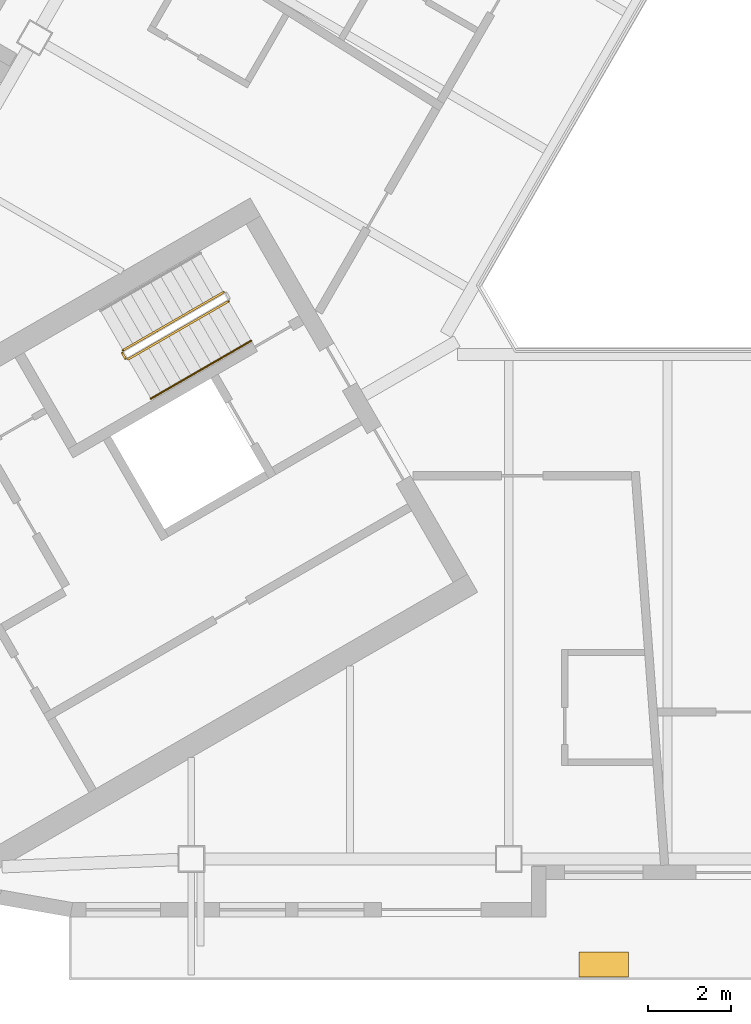
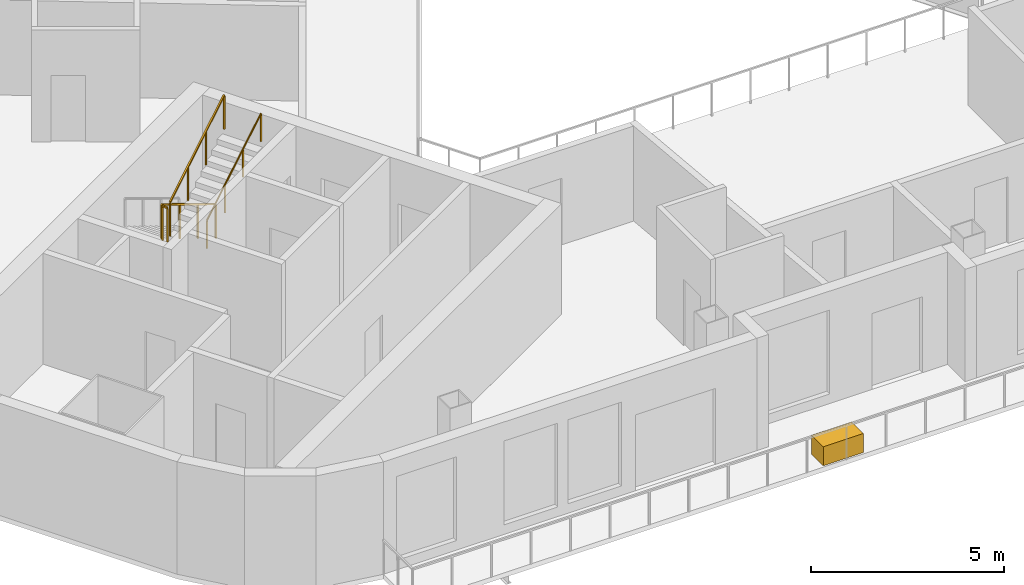
# One storey, part 9 of 14: 4 railings, 1 covering.
"""IFC4 building model written with IfcOpenShell, lengths in metres."""

import ifcopenshell
import ifcopenshell.guid

model = None  # the IFC model being written
_history = None  # IfcOwnerHistory: only IFC2X3 demands one
_inside = {}  # id of a spatial element -> (the spatial element, [elements in it])
_under = {}  # id of a project, library or spatial element -> (it, [spatial elements below it])
_declared = {}  # id of a project -> (the project, [libraries it declares])
_typed = {}  # id of a type object -> (the type object, [elements of that type])
_made_of = {}  # id of a material, layer set ... -> (it, [elements and type objects made of it])


def new_model(schema):
    """Start an empty IFC model of exactly this schema.

    Asked for "IFC4X3", IfcOpenShell would pick the latest addendum, in which some entities
    have other attributes; the version numbers below select the first issue.
    IFC2X3 requires an IfcOwnerHistory on every rooted entity: one is made here for all.
    """
    global model, _history
    if schema == "IFC4X3":
        model = ifcopenshell.file(schema_version=(4, 3, 0, 0))
    else:
        model = ifcopenshell.file(schema=schema)
    _inside.clear()
    _under.clear()
    _declared.clear()
    _typed.clear()
    _made_of.clear()
    _history = None
    if model.schema == "IFC2X3":
        org = make("IfcOrganization", Name="unknown")
        user = make(
            "IfcPersonAndOrganization",
            ThePerson=make("IfcPerson", FamilyName="unknown"),
            TheOrganization=org,
        )
        app = make(
            "IfcApplication",
            ApplicationDeveloper=org,
            Version="unknown",
            ApplicationFullName="unknown",
            ApplicationIdentifier="unknown",
        )
        _history = make(
            "IfcOwnerHistory",
            OwningUser=user,
            OwningApplication=app,
            ChangeAction="ADDED",
            CreationDate=0,
        )
    return model


def make(cls, **values):
    """One entity of the class cls with the attributes given. An attribute that is None is left unset."""
    return model.create_entity(
        cls, **{name: value for name, value in values.items() if value is not None}
    )


def rooted(cls, **values):
    """An entity with a GlobalId (a new one), such as an element, a storey or a relation."""
    return make(cls, GlobalId=ifcopenshell.guid.new(), OwnerHistory=_history, **values)


def si_unit(unit_type, name, prefix=None):
    """IfcSIUnit, for example si_unit("LENGTHUNIT", "METRE", prefix="MILLI")."""
    return make("IfcSIUnit", UnitType=unit_type, Prefix=prefix, Name=name)


def assignment(units):
    """IfcUnitAssignment: the units of a project."""
    return None if units is None else make("IfcUnitAssignment", Units=units)


def point(xyz):
    """IfcCartesianPoint."""
    return None if xyz is None else make("IfcCartesianPoint", Coordinates=xyz)


def direction(xyz):
    """IfcDirection."""
    return None if xyz is None else make("IfcDirection", DirectionRatios=xyz)


def frame(location, z_axis=None, x_axis=None):
    """IfcAxis2Placement3D, a coordinate frame: its origin and axes. An axis left out is left unset."""
    return make(
        "IfcAxis2Placement3D",
        Location=point(location),
        Axis=direction(z_axis),
        RefDirection=direction(x_axis),
    )


def frame_2d(location, x_axis=None):
    """IfcAxis2Placement2D, a coordinate frame in the plane: its origin and x axis."""
    return make(
        "IfcAxis2Placement2D", Location=point(location), RefDirection=direction(x_axis)
    )


def origin():
    """The frame at (0, 0, 0) with its axes left unset."""
    return frame((0.0, 0.0, 0.0))


def origin_2d():
    """The frame at (0, 0) in the plane with its x axis left unset."""
    return frame_2d((0.0, 0.0))


def place(relative_to, where):
    """IfcLocalPlacement: puts the frame where relative to a parent placement (None: the world)."""
    return make(
        "IfcLocalPlacement", PlacementRelTo=relative_to, RelativePlacement=where
    )


def context(
    kind, dimensions, precision=None, world=None, true_north=None, identifier=None
):
    """IfcGeometricRepresentationContext, for example the 3D "Model" context."""
    return make(
        "IfcGeometricRepresentationContext",
        ContextIdentifier=identifier,
        ContextType=kind,
        CoordinateSpaceDimension=dimensions,
        Precision=precision,
        WorldCoordinateSystem=world,
        TrueNorth=true_north,
    )


def subcontext(parent, identifier, kind, view, scale=None):
    """IfcGeometricRepresentationSubContext, for example "Body" below "Model"."""
    return make(
        "IfcGeometricRepresentationSubContext",
        ContextIdentifier=identifier,
        ContextType=kind,
        ParentContext=parent,
        TargetScale=scale,
        TargetView=view,
    )


def project(units=None, contexts=None):
    """IfcProject with its units and contexts."""
    return rooted(
        "IfcProject",
        Name="project",
        RepresentationContexts=contexts,
        UnitsInContext=assignment(units),
    )


def spatial(cls, under=None, at=None, **own):
    """A site, building, storey or space (cls), placed at a placement, below another one or the project."""
    s = rooted(cls, ObjectPlacement=at, **own)
    if under is not None:
        _under.setdefault(under.id(), (under, []))[1].append(s)
    return s


def profile(cls, at=None, kind="AREA", **sizes):
    """A parametric profile (cls). Its sizes go by their IFC names, for example OverallWidth=200.0."""
    return make(cls, ProfileType=kind, Position=at, **sizes)


def rectangle(**sizes):
    """IfcRectangleProfileDef."""
    return profile("IfcRectangleProfileDef", **sizes)


def circle(**sizes):
    """IfcCircleProfileDef."""
    return profile("IfcCircleProfileDef", **sizes)


def extrude(swept, where, along, depth):
    """IfcExtrudedAreaSolid: the profile swept, set in the frame where, extruded along a direction by depth."""
    return make(
        "IfcExtrudedAreaSolid",
        SweptArea=swept,
        Position=where,
        ExtrudedDirection=direction(along),
        Depth=depth,
    )


def shape(context_of_items, identifier, shape_type, items):
    """IfcShapeRepresentation: the items that make up one representation, for example the "Body"."""
    return make(
        "IfcShapeRepresentation",
        ContextOfItems=context_of_items,
        RepresentationIdentifier=identifier,
        RepresentationType=shape_type,
        Items=items,
    )


def material(Name=None, Category=None):
    """IfcMaterial."""
    return make("IfcMaterial", Name=Name, Category=Category)


def made_of(thing, what):
    """Note that an element or type object is made of a material, layer set ...; save() writes the relation."""
    if what is not None:
        _made_of.setdefault(what.id(), (what, []))[1].append(thing)
    return thing


def type_object(cls, material=None, **own):
    """A type object (cls), such as IfcWallType, which elements share."""
    return made_of(rooted(cls, **own), material)


def element(
    cls,
    number,
    at=None,
    inside=None,
    cuts=None,
    type_object=None,
    material=None,
    context=None,
    identifier="Body",
    shape_type=None,
    held_by="IfcProductDefinitionShape",
    body=None,
    shapes=None,
    **own,
):
    """One element of the class cls, such as IfcWall. Its Tag is "e" and its number.

    at: its placement. inside: the storey or other place that contains it. cuts: it is an
    opening in that element (IfcRelVoidsElement). A single representation is given by context,
    identifier, shape_type and body (its items); several are given by shapes. held_by: the class
    of the entity that holds the representations. save() writes the other relations.
    """
    e = rooted(cls, Tag="e%d" % number, ObjectPlacement=at, **own)
    if body is not None:
        shapes = [shape(context, identifier, shape_type, body)]
    if shapes is not None:
        e.Representation = make(held_by, Representations=shapes)
    if inside is not None:
        _inside.setdefault(inside.id(), (inside, []))[1].append(e)
    if cuts is not None:
        rooted(
            "IfcRelVoidsElement", RelatingBuildingElement=cuts, RelatedOpeningElement=e
        )
    if type_object is not None:
        _typed.setdefault(type_object.id(), (type_object, []))[1].append(e)
    return made_of(e, material)


def aggregate(whole, parts):
    """IfcRelAggregates: a whole, such as a stair, and the parts it consists of."""
    return rooted("IfcRelAggregates", RelatingObject=whole, RelatedObjects=parts)


def save(model, path):
    """Write the relations noted so far, then the file.

    IfcRelAggregates (storeys below a building ...), IfcRelContainedInSpatialStructure (elements
    in a storey), IfcRelDefinesByType, IfcRelAssociatesMaterial and IfcRelDeclares: one each for
    every whole, place, type object, material and project.
    """
    for whole, parts in _under.values():
        aggregate(whole, parts)
    for where, things in _inside.values():
        rooted(
            "IfcRelContainedInSpatialStructure",
            RelatedElements=things,
            RelatingStructure=where,
        )
    for kind, things in _typed.values():
        rooted("IfcRelDefinesByType", RelatedObjects=things, RelatingType=kind)
    for what, things in _made_of.values():
        rooted("IfcRelAssociatesMaterial", RelatedObjects=things, RelatingMaterial=what)
    for by, libraries in _declared.values():
        rooted("IfcRelDeclares", RelatingContext=by, RelatedDefinitions=libraries)
    model.write(path)


model = new_model("IFC4")

# Units and contexts
model_context = context("Model", 3, precision=1e-05, world=origin(), true_north=direction((0.0, 1.0)))
body_context = subcontext(model_context, "Body", "Model", "MODEL_VIEW")
ifc_project = project(units=[si_unit("LENGTHUNIT", "METRE"), si_unit("AREAUNIT", "SQUARE_METRE"), si_unit("VOLUMEUNIT", "CUBIC_METRE"), si_unit("PLANEANGLEUNIT", "RADIAN"), si_unit("MASSUNIT", "GRAM", prefix="KILO")], contexts=[model_context])

# Site, building, storey
site_placement = place(None, origin())
site = spatial("IfcSite", under=ifc_project, at=site_placement, CompositionType="ELEMENT")
building_placement = place(site_placement, origin())
building = spatial("IfcBuilding", under=site, at=building_placement, Name="Apuvela Tower Hotel", CompositionType="ELEMENT")
storey_placement = place(building_placement, frame((0.0, 0.0, 261.5)))
storey = spatial("IfcBuildingStorey", under=building, at=storey_placement, Name="L64", CompositionType="ELEMENT", Elevation=261.5)

# Railings
ifc_material_1 = material(Name="Steel S275 balustrade", Category="steel")
railing_type_1 = type_object("IfcRailingType", Name="COR-GUARD-1100", PredefinedType="GUARDRAIL", material=ifc_material_1)
railing_1_placement = place(storey_placement, frame((-14.569091796875, -3.9658203125, 0.168212890625)))
element("IfcRailing", 1, at=railing_1_placement, inside=storey, type_object=railing_type_1, Name="L64 ST2 stair guard 1", PredefinedType="GUARDRAIL", context=body_context, shape_type="SweptSolid", body=[
    extrude(rectangle(XDim=0.048095703125, YDim=0.048095703125, at=origin_2d()), frame((0.0, 0.0, 1.076171875), z_axis=(-0.742390482028, -0.42860119049, 0.514934356695), x_axis=(0.49998411664, -0.866034573852, 0.0)), (0.0, 0.0, 1.0), 3.26611328125),
    extrude(rectangle(XDim=0.0419921875, YDim=0.0419921875, at=origin_2d()), origin(), (0.0, 0.0, 1.0), 1.052001953125),
    extrude(rectangle(XDim=0.0419921875, YDim=0.0419921875, at=origin_2d()), frame((-0.808349609375, -0.466552734375, 0.560546875)), (0.0, 0.0, 1.0), 1.052001953125),
    extrude(rectangle(XDim=0.0419921875, YDim=0.0419921875, at=origin_2d()), frame((-1.616455078125, -0.933349609375, 1.121337890625)), (0.0, 0.0, 1.0), 1.052001953125),
    extrude(rectangle(XDim=0.0419921875, YDim=0.0419921875, at=origin_2d()), frame((-2.4248046875, -1.39990234375, 1.681884765625)), (0.0, 0.0, 1.0), 1.052001953125),
])
railing_2_placement = place(storey_placement, frame((-17.01220703125, -5.43408203125, 1.85009765625)))
element("IfcRailing", 2, at=railing_2_placement, inside=storey, type_object=railing_type_1, Name="L64 ST2 stair guard 2", PredefinedType="GUARDRAIL", context=body_context, shape_type="SweptSolid", body=[
    extrude(rectangle(XDim=0.048095703125, YDim=0.048095703125, at=origin_2d()), frame((0.0, 0.0, 1.076171875), z_axis=(0.499816412211, -0.866131372301, 0.0), x_axis=(0.866131372301, 0.499816412211, 0.0)), (0.0, 0.0, 1.0), 0.14990234375),
    extrude(rectangle(XDim=0.0419921875, YDim=0.0419921875, at=origin_2d()), origin(), (0.0, 0.0, 1.0), 1.052001953125),
    extrude(rectangle(XDim=0.0419921875, YDim=0.0419921875, at=origin_2d()), frame((0.074951171875, -0.1298828125, 0.0)), (0.0, 0.0, 1.0), 1.052001953125),
])
railing_3_placement = place(storey_placement, frame((-16.868896484375, -5.582275390625, 2.01806640625)))
element("IfcRailing", 3, at=railing_3_placement, inside=storey, type_object=railing_type_1, Name="L64 ST2 stair guard 3", PredefinedType="GUARDRAIL", context=body_context, shape_type="SweptSolid", body=[
    extrude(rectangle(XDim=0.048095703125, YDim=0.048095703125, at=origin_2d()), frame((0.0, 0.0, 1.076171875), z_axis=(0.742390482028, 0.42860119049, 0.514934356695), x_axis=(-0.49998411664, 0.866034573852, 0.0)), (0.0, 0.0, 1.0), 3.26611328125),
    extrude(rectangle(XDim=0.0419921875, YDim=0.0419921875, at=origin_2d()), origin(), (0.0, 0.0, 1.0), 1.052001953125),
    extrude(rectangle(XDim=0.0419921875, YDim=0.0419921875, at=origin_2d()), frame((0.808349609375, 0.466552734375, 0.560546875)), (0.0, 0.0, 1.0), 1.052001953125),
    extrude(rectangle(XDim=0.0419921875, YDim=0.0419921875, at=origin_2d()), frame((1.616455078125, 0.933349609375, 1.121337890625)), (0.0, 0.0, 1.0), 1.052001953125),
    extrude(rectangle(XDim=0.0419921875, YDim=0.0419921875, at=origin_2d()), frame((2.4248046875, 1.39990234375, 1.681884765625)), (0.0, 0.0, 1.0), 1.052001953125),
])
ifc_material_2 = material(Name="Stainless steel 316 handrail", Category="steel")
railing_type_2 = type_object("IfcRailingType", Name="COR-HANDRAIL-900", PredefinedType="HANDRAIL", material=ifc_material_2)
railing_4_placement = place(storey_placement, frame((-16.31884765625, -6.534912109375, 2.01806640625)))
element("IfcRailing", 4, at=railing_4_placement, inside=storey, type_object=railing_type_2, Name="L64 ST2 stair handrail 2", PredefinedType="HANDRAIL", context=body_context, shape_type="SweptSolid", body=[
    extrude(circle(Radius=0.02392578125, at=origin_2d()), frame((0.0, 0.0, 0.8759765625), z_axis=(0.742390482028, 0.42860119049, 0.514934356695), x_axis=(-0.49998411664, 0.866034573852, 0.0)), (0.0, 0.0, 1.0), 3.26611328125),
    extrude(rectangle(XDim=0.0419921875, YDim=0.0419921875, at=origin_2d()), origin(), (0.0, 0.0, 1.0), 0.851806640625),
    extrude(rectangle(XDim=0.0419921875, YDim=0.0419921875, at=origin_2d()), frame((0.808349609375, 0.466552734375, 0.560546875)), (0.0, 0.0, 1.0), 0.851806640625),
    extrude(rectangle(XDim=0.0419921875, YDim=0.0419921875, at=origin_2d()), frame((1.616455078125, 0.933349609375, 1.121337890625)), (0.0, 0.0, 1.0), 0.851806640625),
    extrude(rectangle(XDim=0.0419921875, YDim=0.0419921875, at=origin_2d()), frame((2.4248046875, 1.39990234375, 1.681884765625)), (0.0, 0.0, 1.0), 0.851806640625),
])

# Covering
ifc_material_3 = material(Name="Planting substrate and soil, planted")
covering_type = type_object("IfcCoveringType", Name="ENV-PLANTER-1200x600", PredefinedType="USERDEFINED", material=ifc_material_3)
covering_placement = place(storey_placement, frame((-5.371826171875, -20.212890625, 0.0), z_axis=(0.0, 0.0, 1.0), x_axis=(1.0, 0.0, 0.0)))
element("IfcCovering", 5, at=covering_placement, inside=storey, type_object=covering_type, Name="Planter S1", ObjectType="PLANTER", PredefinedType="USERDEFINED", context=body_context, shape_type="SweptSolid", body=[
    extrude(rectangle(XDim=1.199951171875, YDim=0.60009765625, at=origin_2d()), origin(), (0.0, 0.0, 1.0), 0.60009765625),
])

save(model, "model.ifc")
